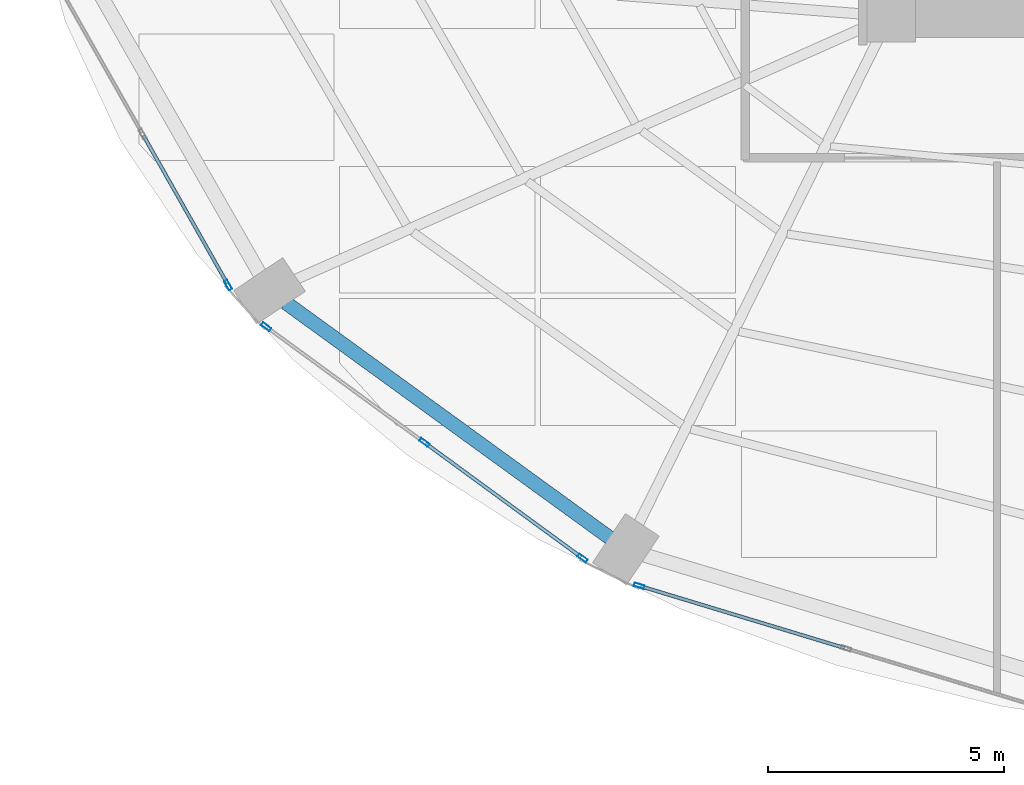
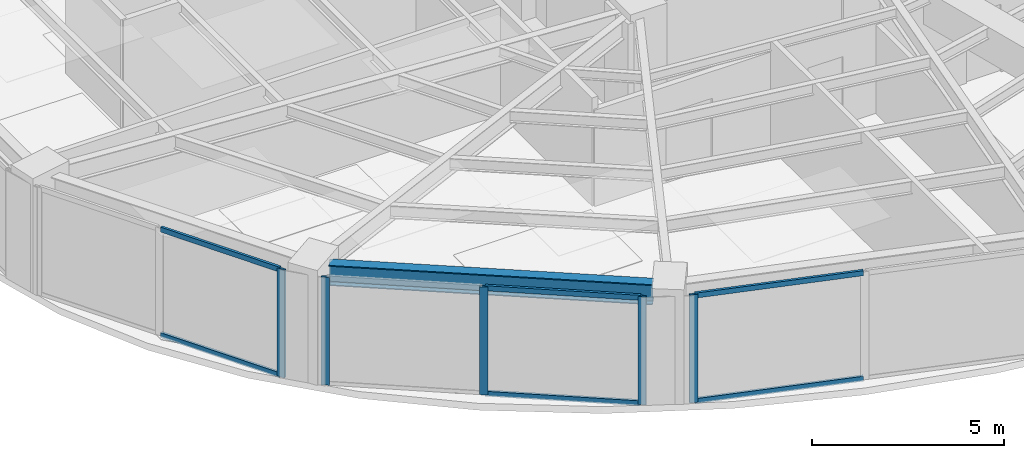
# One storey, part 2 of 24: 11 members, 1 beam, 3 elements without a shape of their own.
"""IFC4 building model written with IfcOpenShell, lengths in metres."""

from ifc_helpers import new_model, si_unit, direction, frame, origin, origin_2d, place, context, subcontext, project, spatial, hollow_rectangle, i_section, extrude, material, layer, layer_set, material_profile, profile_set, type_object, element, aggregate, save


model = new_model("IFC4")

# Units and contexts
model_context = context("Model", 3, precision=1e-05, world=origin(), true_north=direction((0.0, 1.0)))
body_context = subcontext(model_context, "Body", "Model", "MODEL_VIEW")
ifc_project = project(units=[si_unit("LENGTHUNIT", "METRE"), si_unit("AREAUNIT", "SQUARE_METRE"), si_unit("VOLUMEUNIT", "CUBIC_METRE"), si_unit("PLANEANGLEUNIT", "RADIAN"), si_unit("MASSUNIT", "GRAM", prefix="KILO")], contexts=[model_context])

# Site, building, storey
site_placement = place(None, origin())
site = spatial("IfcSite", under=ifc_project, at=site_placement, CompositionType="ELEMENT")
building_placement = place(site_placement, origin())
building = spatial("IfcBuilding", under=site, at=building_placement, Name="Lazwardi Medical Tower", CompositionType="ELEMENT")
storey_placement = place(building_placement, frame((0.0, 0.0, 61.679931640625)))
storey = spatial("IfcBuildingStorey", under=building, at=storey_placement, Name="L15", CompositionType="ELEMENT", Elevation=61.679931640625)

# Beam
ifc_material_1 = material(Name="Steel S355", Category="steel")
ifc_material_profile_1 = material_profile(ifc_material_1, i_section(OverallWidth=0.300048828125, OverallDepth=0.64990234375, WebThickness=0.01611328125, FlangeThickness=0.031005859375, at=origin_2d()), Name="HEB 650")
ifc_profile_set_1 = profile_set([ifc_material_profile_1], Name="Steel S355")
beam_type = type_object("IfcBeamType", Name="BM-RB-Z1", PredefinedType="BEAM", material=ifc_profile_set_1)
beam_placement = place(storey_placement, frame((13.6201171875, 14.339111328125, 3.10302734375), z_axis=(0.809407079515, -0.587247971159, 0.0), x_axis=(0.587247971159, 0.809407079515, 0.0)))
element("IfcBeam", 1, at=beam_placement, inside=storey, type_object=beam_type, Name="Ring beam RB-02 B14 L15", PredefinedType="BEAM", context=body_context, shape_type="SweptSolid", body=[
    extrude(i_section(OverallWidth=0.300048828125, OverallDepth=0.64990234375, WebThickness=0.01611328125, FlangeThickness=0.031005859375, at=origin_2d()), origin(), (0.0, 0.0, 1.0), 8.473876953125),
])

# Curtain wall, member
ifc_material_2 = material(Name="Anodised bronze aluminium and solar control glazing", Category="aluminium")
ifc_layer = layer(ifc_material_2, 0.199951171875)
ifc_layer_set = layer_set([ifc_layer], Name="Anodised bronze aluminium and solar control glazing")
curtain_wall_type = type_object("IfcCurtainWallType", Name="CW-SYS-02", PredefinedType="NOTDEFINED", material=ifc_layer_set)
curtain_wall_1_placement = place(storey_placement, origin())
curtain_wall_1 = element("IfcCurtainWall", 2, at=curtain_wall_1_placement, inside=storey, type_object=curtain_wall_type, Name="L15 Unitised bronze curtain wall CW-02", PredefinedType="NOTDEFINED")
ifc_material_3 = material(Name="Anodised bronze aluminium", Category="aluminium")
ifc_material_profile_2 = material_profile(ifc_material_3, hollow_rectangle(XDim=0.074951171875, YDim=0.219970703125, WallThickness=0.00390625, at=origin_2d()), Name="ALU-MULLION 220x75x4")
ifc_profile_set_2 = profile_set([ifc_material_profile_2], Name="Anodised bronze aluminium")
member_type_1 = type_object("IfcMemberType", Name="CW-MUL-01", PredefinedType="MULLION", material=ifc_profile_set_2)
member_1_placement = place(storey_placement, frame((12.4033203125, 14.71142578125, 0.0), z_axis=(0.0, 0.0, 1.0), x_axis=(0.870111838823, 0.492854327303, 0.0)))
member_1 = element("IfcMember", 3, at=member_1_placement, type_object=member_type_1, Name="CW-02 mullion 3", PredefinedType="MULLION", context=body_context, shape_type="SweptSolid", body=[
    extrude(hollow_rectangle(XDim=0.074951171875, YDim=0.219970703125, WallThickness=0.00390625, at=origin_2d()), origin(), (0.0, 0.0, 1.0), 3.427978515625),
])

# Curtain wall, members
curtain_wall_2_placement = place(storey_placement, origin())
curtain_wall_2 = element("IfcCurtainWall", 4, at=curtain_wall_2_placement, inside=storey, type_object=curtain_wall_type, Name="L15 Unitised bronze curtain wall CW-02", PredefinedType="NOTDEFINED")
member_2_placement = place(storey_placement, frame((13.209716796875, 13.827392578125, 0.0), z_axis=(0.0, 0.0, 1.0), x_axis=(0.590289307341, 0.807191757663, 0.0)))
member_2 = element("IfcMember", 5, at=member_2_placement, type_object=member_type_1, Name="CW-02 mullion 1", PredefinedType="MULLION", context=body_context, shape_type="SweptSolid", body=[
    extrude(hollow_rectangle(XDim=0.074951171875, YDim=0.219970703125, WallThickness=0.00390625, at=origin_2d()), origin(), (0.0, 0.0, 1.0), 3.427978515625),
])
member_3_placement = place(storey_placement, frame((16.5556640625, 11.380615234375, 0.0), z_axis=(0.0, 0.0, 1.0), x_axis=(0.590289307341, 0.807191757663, 0.0)))
member_3 = element("IfcMember", 6, at=member_3_placement, type_object=member_type_1, Name="CW-02 mullion 2", PredefinedType="MULLION", context=body_context, shape_type="SweptSolid", body=[
    extrude(hollow_rectangle(XDim=0.074951171875, YDim=0.219970703125, WallThickness=0.00390625, at=origin_2d()), origin(), (0.0, 0.0, 1.0), 3.427978515625),
])
member_4_placement = place(storey_placement, frame((19.9013671875, 8.933837890625, 0.0), z_axis=(0.0, 0.0, 1.0), x_axis=(0.590289307341, 0.807191757663, 0.0)))
member_4 = element("IfcMember", 7, at=member_4_placement, type_object=member_type_1, Name="CW-02 mullion 3", PredefinedType="MULLION", context=body_context, shape_type="SweptSolid", body=[
    extrude(hollow_rectangle(XDim=0.074951171875, YDim=0.219970703125, WallThickness=0.00390625, at=origin_2d()), origin(), (0.0, 0.0, 1.0), 3.427978515625),
])

# Curtain wall, member
curtain_wall_3_placement = place(storey_placement, origin())
curtain_wall_3 = element("IfcCurtainWall", 8, at=curtain_wall_3_placement, inside=storey, type_object=curtain_wall_type, Name="L15 Unitised bronze curtain wall CW-02", PredefinedType="NOTDEFINED")
member_5_placement = place(storey_placement, frame((21.1015625, 8.346923828125, 0.0), z_axis=(0.0, 0.0, 1.0), x_axis=(0.2898956909, 0.957058247129, 0.0)))
member_5 = element("IfcMember", 9, at=member_5_placement, type_object=member_type_1, Name="CW-02 mullion 1", PredefinedType="MULLION", context=body_context, shape_type="SweptSolid", body=[
    extrude(hollow_rectangle(XDim=0.074951171875, YDim=0.219970703125, WallThickness=0.00390625, at=origin_2d()), origin(), (0.0, 0.0, 1.0), 3.427978515625),
])

# Member
ifc_material_profile_3 = material_profile(ifc_material_3, hollow_rectangle(XDim=0.074951171875, YDim=0.159912109375, WallThickness=0.00390625, at=origin_2d()), Name="ALU-TRANSOM 160x75x4")
ifc_profile_set_3 = profile_set([ifc_material_profile_3], Name="Anodised bronze aluminium")
member_type_2 = type_object("IfcMemberType", Name="CW-TRN-01", PredefinedType="USERDEFINED", material=ifc_profile_set_3)
member_6_placement = place(storey_placement, frame((10.613037109375, 17.871826171875, 0.03759765625), z_axis=(0.492880614687, -0.870096948429, 0.0), x_axis=(0.870096948429, 0.492880614687, 0.0)))
member_6 = element("IfcMember", 10, at=member_6_placement, type_object=member_type_2, Name="CW-02 transom 2.1", ObjectType="TRANSOM", PredefinedType="USERDEFINED", context=body_context, shape_type="SweptSolid", body=[
    extrude(hollow_rectangle(XDim=0.074951171875, YDim=0.159912109375, WallThickness=0.00390625, at=origin_2d()), origin(), (0.0, 0.0, 1.0), 3.5947265625),
])

member_7_placement = place(storey_placement, frame((10.613037109375, 17.871826171875, 3.390625), z_axis=(0.492880614687, -0.870096948429, 0.0), x_axis=(0.870096948429, 0.492880614687, 0.0)))
member_7 = element("IfcMember", 11, at=member_7_placement, type_object=member_type_2, Name="CW-02 transom 2.2", ObjectType="TRANSOM", PredefinedType="USERDEFINED", context=body_context, shape_type="SweptSolid", body=[
    extrude(hollow_rectangle(XDim=0.074951171875, YDim=0.159912109375, WallThickness=0.00390625, at=origin_2d()), origin(), (0.0, 0.0, 1.0), 3.5947265625),
])

aggregate(curtain_wall_1, [member_1, member_6, member_7])

member_8_placement = place(storey_placement, frame((16.5859375, 11.358642578125, 0.03759765625), z_axis=(0.807169053975, -0.590320352271, 0.0), x_axis=(0.590320352271, 0.807169053975, 0.0)))
member_8 = element("IfcMember", 12, at=member_8_placement, type_object=member_type_2, Name="CW-02 transom 2.1", ObjectType="TRANSOM", PredefinedType="USERDEFINED", context=body_context, shape_type="SweptSolid", body=[
    extrude(hollow_rectangle(XDim=0.074951171875, YDim=0.159912109375, WallThickness=0.00390625, at=origin_2d()), origin(), (0.0, 0.0, 1.0), 4.070068359375),
])

member_9_placement = place(storey_placement, frame((16.5859375, 11.358642578125, 3.390625), z_axis=(0.807169053975, -0.590320352271, 0.0), x_axis=(0.590320352271, 0.807169053975, 0.0)))
member_9 = element("IfcMember", 13, at=member_9_placement, type_object=member_type_2, Name="CW-02 transom 2.2", ObjectType="TRANSOM", PredefinedType="USERDEFINED", context=body_context, shape_type="SweptSolid", body=[
    extrude(hollow_rectangle(XDim=0.074951171875, YDim=0.159912109375, WallThickness=0.00390625, at=origin_2d()), origin(), (0.0, 0.0, 1.0), 4.070068359375),
])

aggregate(curtain_wall_2, [member_2, member_3, member_4, member_8, member_9])

member_10_placement = place(storey_placement, frame((21.137451171875, 8.3359375, 0.03759765625), z_axis=(0.957062297904, -0.289882317383, 0.0), x_axis=(0.289882317383, 0.957062297904, 0.0)))
member_10 = element("IfcMember", 14, at=member_10_placement, type_object=member_type_2, Name="CW-02 transom 1.1", ObjectType="TRANSOM", PredefinedType="USERDEFINED", context=body_context, shape_type="SweptSolid", body=[
    extrude(hollow_rectangle(XDim=0.074951171875, YDim=0.159912109375, WallThickness=0.00390625, at=origin_2d()), origin(), (0.0, 0.0, 1.0), 4.49658203125),
])

member_11_placement = place(storey_placement, frame((21.137451171875, 8.3359375, 3.390625), z_axis=(0.957062297904, -0.289882317383, 0.0), x_axis=(0.289882317383, 0.957062297904, 0.0)))
member_11 = element("IfcMember", 15, at=member_11_placement, type_object=member_type_2, Name="CW-02 transom 1.2", ObjectType="TRANSOM", PredefinedType="USERDEFINED", context=body_context, shape_type="SweptSolid", body=[
    extrude(hollow_rectangle(XDim=0.074951171875, YDim=0.159912109375, WallThickness=0.00390625, at=origin_2d()), origin(), (0.0, 0.0, 1.0), 4.49658203125),
])

aggregate(curtain_wall_3, [member_5, member_10, member_11])

save(model, "model.ifc")
